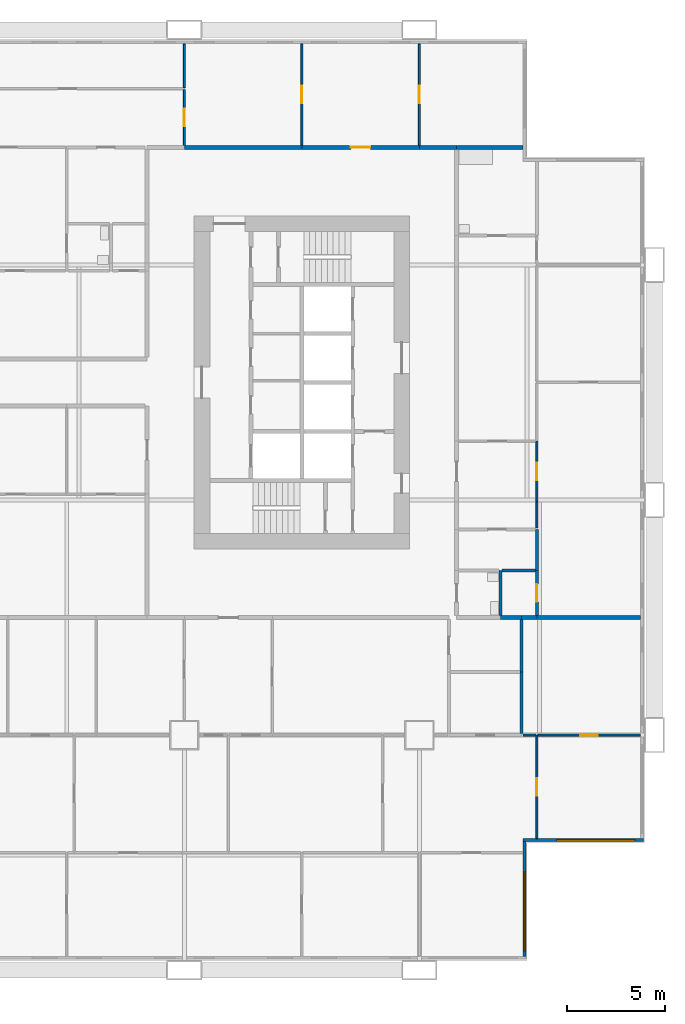
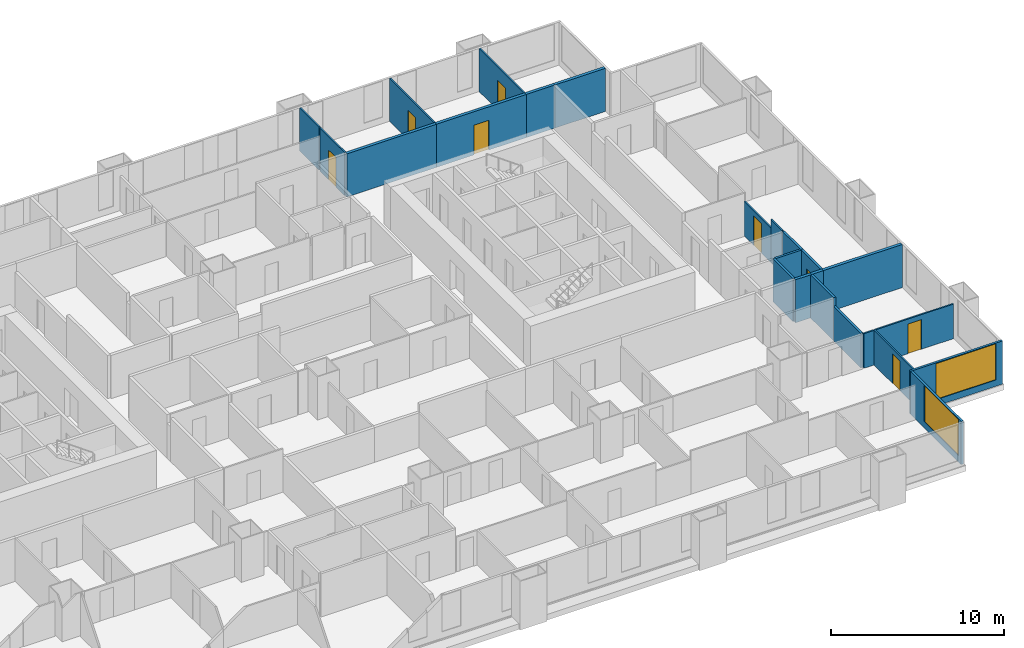
# One storey, part 11 of 14: 24 walls, 8 doors, 2 windows, 10 openings.
"""IFC4 building model written with IfcOpenShell, lengths in metres."""

from ifc_helpers import new_model, si_unit, direction, frame, frame_2d, origin, place, context, subcontext, project, spatial, rectangle, extrude, material, layer, layer_set, type_object, element, fill, save


model = new_model("IFC4")

# Units and contexts
model_context = context("Model", 3, precision=1e-05, world=origin(), true_north=direction((0.0, 1.0)))
body_context = subcontext(model_context, "Body", "Model", "MODEL_VIEW")
ifc_project = project(units=[si_unit("LENGTHUNIT", "METRE"), si_unit("AREAUNIT", "SQUARE_METRE"), si_unit("VOLUMEUNIT", "CUBIC_METRE"), si_unit("PLANEANGLEUNIT", "RADIAN"), si_unit("MASSUNIT", "GRAM", prefix="KILO")], contexts=[model_context])

# Site, building, storey
site_placement = place(None, origin())
site = spatial("IfcSite", under=ifc_project, at=site_placement, CompositionType="ELEMENT")
building_placement = place(site_placement, origin())
building = spatial("IfcBuilding", under=site, at=building_placement, Name="Kitamizu Gate Tower and Museum", CompositionType="ELEMENT")
storey_placement = place(building_placement, frame((0.0, 0.0, 43.800048828125)))
storey = spatial("IfcBuildingStorey", under=building, at=storey_placement, Name="L09", CompositionType="ELEMENT", Elevation=43.800048828125)

# Wall, opening, door
ifc_material_1 = material(Name="Gypsum board on galvanised stud")
ifc_layer_1 = layer(ifc_material_1, 0.10009765625)
ifc_layer_set_1 = layer_set([ifc_layer_1], Name="Gypsum board on galvanised stud")
wall_type_1 = type_object("IfcWallType", Name="Partition 100 NOT RATED", PredefinedType="PARTITIONING", material=ifc_layer_set_1)
wall_1_placement = place(storey_placement, frame((66.0, 6.719970703125, 0.0), z_axis=(0.0, 0.0, 1.0), x_axis=(0.0, 1.0, 0.0)))
wall_1 = element("IfcWall", 1, at=wall_1_placement, inside=storey, type_object=wall_type_1, Name="Partition L09-075", PredefinedType="PARTITIONING", context=body_context, shape_type="SweptSolid", body=[
    extrude(rectangle(XDim=5.280029296875, YDim=0.10009765625, at=frame_2d((2.64013671875, 0.0))), origin(), (0.0, 0.0, 1.0), 2.449951171875),
])
opening_1_placement = place(wall_1_placement, frame((2.18994140625, 0.0, 0.0)))
opening_1 = element("IfcOpeningElement", 2, at=opening_1_placement, cuts=wall_1, Name="Opening L09-025", PredefinedType="OPENING", context=body_context, shape_type="SweptSolid", body=[
    extrude(rectangle(XDim=0.89990234375, YDim=2.10009765625, at=frame_2d((0.449951171875, 1.050048828125))), frame((0.0, 0.06005859375, 0.0), z_axis=(0.0, -1.0, 0.0), x_axis=(1.0, 0.0, 0.0)), (0.0, 0.0, 1.0), 0.1201171875),
])
ifc_material_2 = material(Name="Timber door set", Category="wood")
door_type_1 = type_object("IfcDoorType", Name="Room door 900", OperationType="NOTDEFINED", PredefinedType="DOOR", material=ifc_material_2)
door_1_placement = place(opening_1_placement, origin())
door_1 = element("IfcDoor", 3, at=door_1_placement, inside=storey, type_object=door_type_1, Name="Door L09-025", OperationType="SINGLE_SWING_RIGHT", OverallHeight=2.10009765625, OverallWidth=0.89990234375, PredefinedType="DOOR", context=body_context, shape_type="SweptSolid", body=[
    extrude(rectangle(XDim=0.89990234375, YDim=2.10009765625, at=frame_2d((0.449951171875, 1.050048828125))), frame((0.0, 0.02490234375, 0.0), z_axis=(0.0, -1.0, 0.0), x_axis=(1.0, 0.0, 0.0)), (0.0, 0.0, 1.0), 0.050048828125),
])
fill(opening_1, door_1)

# Wall
wall_2_placement = place(storey_placement, frame((65.949951171875, 12.0, 0.0), z_axis=(0.0, 0.0, 1.0), x_axis=(-1.0, 0.0, 0.0)))
element("IfcWall", 4, at=wall_2_placement, inside=storey, type_object=wall_type_1, Name="Partition L09-078", PredefinedType="PARTITIONING", context=body_context, shape_type="SweptSolid", body=[
    extrude(rectangle(XDim=0.658935546875, YDim=0.10009765625, at=frame_2d((0.32958984375, 0.0))), origin(), (0.0, 0.0, 1.0), 2.449951171875),
])

# Wall, opening, door
wall_3_placement = place(storey_placement, frame((71.280029296875, 12.0, 0.0), z_axis=(0.0, 0.0, 1.0), x_axis=(-1.0, 0.0, 0.0)))
wall_3 = element("IfcWall", 5, at=wall_3_placement, inside=storey, type_object=wall_type_1, Name="Partition L09-080", PredefinedType="PARTITIONING", context=body_context, shape_type="SweptSolid", body=[
    extrude(rectangle(XDim=5.22998046875, YDim=0.10009765625, at=frame_2d((2.614990234375, 0.0))), origin(), (0.0, 0.0, 1.0), 2.449951171875),
])
opening_2_placement = place(wall_3_placement, frame((2.1650390625, 0.0, 0.0)))
opening_2 = element("IfcOpeningElement", 6, at=opening_2_placement, cuts=wall_3, Name="Opening L09-034", PredefinedType="OPENING", context=body_context, shape_type="SweptSolid", body=[
    extrude(rectangle(XDim=0.89990234375, YDim=2.10009765625, at=frame_2d((0.449951171875, 1.050048828125))), frame((0.0, 0.06005859375, 0.0), z_axis=(0.0, -1.0, 0.0), x_axis=(1.0, 0.0, 0.0)), (0.0, 0.0, 1.0), 0.1201171875),
])
door_2_placement = place(opening_2_placement, frame((0.89990234375, 0.0, 0.0), x_axis=(-1.0, 0.0, 0.0)))
door_2 = element("IfcDoor", 7, at=door_2_placement, inside=storey, type_object=door_type_1, Name="Door L09-034", OperationType="SINGLE_SWING_LEFT", OverallHeight=2.10009765625, OverallWidth=0.89990234375, PredefinedType="DOOR", context=body_context, shape_type="SweptSolid", body=[
    extrude(rectangle(XDim=0.89990234375, YDim=2.10009765625, at=frame_2d((0.449951171875, 1.050048828125))), frame((0.0, 0.02490234375, 0.0), z_axis=(0.0, -1.0, 0.0), x_axis=(1.0, 0.0, 0.0)), (0.0, 0.0, 1.0), 0.050048828125),
])
fill(opening_2, door_2)

wall_4_placement = place(storey_placement, frame((48.0, 42.10009765625, 0.0), z_axis=(0.0, 0.0, 1.0), x_axis=(0.0, 1.0, 0.0)))
wall_4 = element("IfcWall", 8, at=wall_4_placement, inside=storey, type_object=wall_type_1, Name="Partition L09-159", PredefinedType="PARTITIONING", context=body_context, shape_type="SweptSolid", body=[
    extrude(rectangle(XDim=2.849853515625, YDim=0.10009765625, at=frame_2d((1.4248046875, 0.0))), origin(), (0.0, 0.0, 1.0), 3.050048828125),
])
opening_3_placement = place(wall_4_placement, frame((0.97509765625, 0.0, 0.0)))
opening_3 = element("IfcOpeningElement", 9, at=opening_3_placement, cuts=wall_4, Name="Opening L09-058", PredefinedType="OPENING", context=body_context, shape_type="SweptSolid", body=[
    extrude(rectangle(XDim=0.89990234375, YDim=2.10009765625, at=frame_2d((0.449951171875, 1.050048828125))), frame((0.0, 0.06005859375, 0.0), z_axis=(0.0, -1.0, 0.0), x_axis=(1.0, 0.0, 0.0)), (0.0, 0.0, 1.0), 0.1201171875),
])
door_3_placement = place(opening_3_placement, frame((0.89990234375, 0.0, 0.0), x_axis=(-1.0, 0.0, 0.0)))
door_3 = element("IfcDoor", 10, at=door_3_placement, inside=storey, type_object=door_type_1, Name="Door L09-058", OperationType="SINGLE_SWING_LEFT", OverallHeight=2.10009765625, OverallWidth=0.89990234375, PredefinedType="DOOR", context=body_context, shape_type="SweptSolid", body=[
    extrude(rectangle(XDim=0.89990234375, YDim=2.10009765625, at=frame_2d((0.449951171875, 1.050048828125))), frame((0.0, 0.02490234375, 0.0), z_axis=(0.0, -1.0, 0.0), x_axis=(1.0, 0.0, 0.0)), (0.0, 0.0, 1.0), 0.050048828125),
])
fill(opening_3, door_3)

# Wall
wall_5_placement = place(storey_placement, frame((48.0, 45.050048828125, 0.0), z_axis=(0.0, 0.0, 1.0), x_axis=(0.0, 1.0, 0.0)))
element("IfcWall", 11, at=wall_5_placement, inside=storey, type_object=wall_type_1, Name="Partition L09-163", PredefinedType="PARTITIONING", context=body_context, shape_type="SweptSolid", body=[
    extrude(rectangle(XDim=2.22998046875, YDim=0.10009765625, at=frame_2d((1.114990234375, 0.0))), origin(), (0.0, 0.0, 1.0), 3.050048828125),
])

# Wall, opening, door
wall_6_placement = place(storey_placement, frame((54.0, 42.10009765625, 0.0), z_axis=(0.0, 0.0, 1.0), x_axis=(0.0, 1.0, 0.0)))
wall_6 = element("IfcWall", 12, at=wall_6_placement, inside=storey, type_object=wall_type_1, Name="Partition L09-164", PredefinedType="PARTITIONING", context=body_context, shape_type="SweptSolid", body=[
    extrude(rectangle(XDim=5.179931640625, YDim=0.10009765625, at=frame_2d((2.58984375, 0.0))), origin(), (0.0, 0.0, 1.0), 3.050048828125),
])
opening_4_placement = place(wall_6_placement, frame((2.139892578125, 0.0, 0.0)))
opening_4 = element("IfcOpeningElement", 13, at=opening_4_placement, cuts=wall_6, Name="Opening L09-057", PredefinedType="OPENING", context=body_context, shape_type="SweptSolid", body=[
    extrude(rectangle(XDim=0.89990234375, YDim=2.10009765625, at=frame_2d((0.449951171875, 1.050048828125))), frame((0.0, 0.06005859375, 0.0), z_axis=(0.0, -1.0, 0.0), x_axis=(1.0, 0.0, 0.0)), (0.0, 0.0, 1.0), 0.1201171875),
])
door_4_placement = place(opening_4_placement, origin())
door_4 = element("IfcDoor", 14, at=door_4_placement, inside=storey, type_object=door_type_1, Name="Door L09-057", OperationType="SINGLE_SWING_LEFT", OverallHeight=2.10009765625, OverallWidth=0.89990234375, PredefinedType="DOOR", context=body_context, shape_type="SweptSolid", body=[
    extrude(rectangle(XDim=0.89990234375, YDim=2.10009765625, at=frame_2d((0.449951171875, 1.050048828125))), frame((0.0, 0.02490234375, 0.0), z_axis=(0.0, -1.0, 0.0), x_axis=(1.0, 0.0, 0.0)), (0.0, 0.0, 1.0), 0.050048828125),
])
fill(opening_4, door_4)

wall_7_placement = place(storey_placement, frame((60.0, 42.10009765625, 0.0), z_axis=(0.0, 0.0, 1.0), x_axis=(0.0, 1.0, 0.0)))
wall_7 = element("IfcWall", 15, at=wall_7_placement, inside=storey, type_object=wall_type_1, Name="Partition L09-166", PredefinedType="PARTITIONING", context=body_context, shape_type="SweptSolid", body=[
    extrude(rectangle(XDim=5.179931640625, YDim=0.10009765625, at=frame_2d((2.58984375, 0.0))), origin(), (0.0, 0.0, 1.0), 3.050048828125),
])
opening_5_placement = place(wall_7_placement, frame((2.139892578125, 0.0, 0.0)))
opening_5 = element("IfcOpeningElement", 16, at=opening_5_placement, cuts=wall_7, Name="Opening L09-056", PredefinedType="OPENING", context=body_context, shape_type="SweptSolid", body=[
    extrude(rectangle(XDim=0.89990234375, YDim=2.10009765625, at=frame_2d((0.449951171875, 1.050048828125))), frame((0.0, 0.06005859375, 0.0), z_axis=(0.0, -1.0, 0.0), x_axis=(1.0, 0.0, 0.0)), (0.0, 0.0, 1.0), 0.1201171875),
])
door_5_placement = place(opening_5_placement, frame((0.89990234375, 0.0, 0.0), x_axis=(-1.0, 0.0, 0.0)))
door_5 = element("IfcDoor", 17, at=door_5_placement, inside=storey, type_object=door_type_1, Name="Door L09-056", OperationType="SINGLE_SWING_LEFT", OverallHeight=2.10009765625, OverallWidth=0.89990234375, PredefinedType="DOOR", context=body_context, shape_type="SweptSolid", body=[
    extrude(rectangle(XDim=0.89990234375, YDim=2.10009765625, at=frame_2d((0.449951171875, 1.050048828125))), frame((0.0, 0.02490234375, 0.0), z_axis=(0.0, -1.0, 0.0), x_axis=(1.0, 0.0, 0.0)), (0.0, 0.0, 1.0), 0.050048828125),
])
fill(opening_5, door_5)

wall_8_placement = place(storey_placement, frame((66.0, 27.0, 0.0), z_axis=(0.0, 0.0, 1.0), x_axis=(0.0, -1.0, 0.0)))
wall_8 = element("IfcWall", 18, at=wall_8_placement, inside=storey, type_object=wall_type_1, Name="Partition L09-194", PredefinedType="PARTITIONING", context=body_context, shape_type="SweptSolid", body=[
    extrude(rectangle(XDim=3.10009765625, YDim=0.10009765625, at=frame_2d((1.550048828125, 0.0))), origin(), (0.0, 0.0, 1.0), 2.449951171875),
])
opening_6_placement = place(wall_8_placement, frame((1.10009765625, 0.0, 0.0)))
opening_6 = element("IfcOpeningElement", 19, at=opening_6_placement, cuts=wall_8, Name="Opening L09-070", PredefinedType="OPENING", context=body_context, shape_type="SweptSolid", body=[
    extrude(rectangle(XDim=0.89990234375, YDim=2.10009765625, at=frame_2d((0.449951171875, 1.050048828125))), frame((0.0, 0.06005859375, 0.0), z_axis=(0.0, -1.0, 0.0), x_axis=(1.0, 0.0, 0.0)), (0.0, 0.0, 1.0), 0.1201171875),
])
door_6_placement = place(opening_6_placement, origin())
door_6 = element("IfcDoor", 20, at=door_6_placement, inside=storey, type_object=door_type_1, Name="Door L09-070", OperationType="SINGLE_SWING_RIGHT", OverallHeight=2.10009765625, OverallWidth=0.89990234375, PredefinedType="DOOR", context=body_context, shape_type="SweptSolid", body=[
    extrude(rectangle(XDim=0.89990234375, YDim=2.10009765625, at=frame_2d((0.449951171875, 1.050048828125))), frame((0.0, 0.02490234375, 0.0), z_axis=(0.0, -1.0, 0.0), x_axis=(1.0, 0.0, 0.0)), (0.0, 0.0, 1.0), 0.050048828125),
])
fill(opening_6, door_6)

# Walls
wall_9_placement = place(storey_placement, frame((66.0, 23.89990234375, 0.0), z_axis=(0.0, 0.0, 1.0), x_axis=(0.0, -1.0, 0.0)))
element("IfcWall", 21, at=wall_9_placement, inside=storey, type_object=wall_type_1, Name="Partition L09-195", PredefinedType="PARTITIONING", context=body_context, shape_type="SweptSolid", body=[
    extrude(rectangle(XDim=1.324951171875, YDim=0.10009765625, at=frame_2d((0.66259765625, 0.0))), origin(), (0.0, 0.0, 1.0), 3.050048828125),
])
ifc_material_3 = material(Name="Gypsum board on galvanised stud")
ifc_layer_2 = layer(ifc_material_3, 0.14990234375)
ifc_layer_set_2 = layer_set([ifc_layer_2], Name="Gypsum board on galvanised stud")
wall_type_2 = type_object("IfcWallType", Name="Partition 150", PredefinedType="PARTITIONING", material=ifc_layer_set_2)
wall_10_placement = place(storey_placement, frame((65.216064453125, 15.22900390625, 0.0), z_axis=(0.0, 0.0, 1.0), x_axis=(0.0, -1.0, 0.0)))
element("IfcWall", 22, at=wall_10_placement, inside=storey, type_object=wall_type_2, Name="Partition L09-094", PredefinedType="PARTITIONING", context=body_context, shape_type="SweptSolid", body=[
    extrude(rectangle(XDim=3.154052734375, YDim=0.14990234375, at=frame_2d((1.5771484375, 0.0))), origin(), (0.0, 0.0, 1.0), 2.449951171875),
])
wall_11_placement = place(storey_placement, frame((65.216064453125, 17.89990234375, 0.0), z_axis=(0.0, 0.0, 1.0), x_axis=(0.0, -1.0, 0.0)))
element("IfcWall", 23, at=wall_11_placement, inside=storey, type_object=wall_type_2, Name="Partition L09-095", PredefinedType="PARTITIONING", context=body_context, shape_type="SweptSolid", body=[
    extrude(rectangle(XDim=2.6708984375, YDim=0.14990234375, at=frame_2d((1.33544921875, 0.0))), origin(), (0.0, 0.0, 1.0), 3.050048828125),
])

# Wall, opening, door
wall_12_placement = place(storey_placement, frame((66.0, 20.39990234375, 0.0), z_axis=(0.0, 0.0, 1.0), x_axis=(0.0, -1.0, 0.0)))
wall_12 = element("IfcWall", 24, at=wall_12_placement, inside=storey, type_object=wall_type_2, Name="Partition L09-192", PredefinedType="PARTITIONING", context=body_context, shape_type="SweptSolid", body=[
    extrude(rectangle(XDim=2.2998046875, YDim=0.14990234375, at=frame_2d((1.14990234375, 0.0))), origin(), (0.0, 0.0, 1.0), 3.050048828125),
])
opening_7_placement = place(wall_12_placement, frame((0.699951171875, 0.0, 0.0)))
opening_7 = element("IfcOpeningElement", 25, at=opening_7_placement, cuts=wall_12, Name="Opening L09-074", PredefinedType="OPENING", context=body_context, shape_type="SweptSolid", body=[
    extrude(rectangle(XDim=0.89990234375, YDim=2.10009765625, at=frame_2d((0.449951171875, 1.050048828125))), frame((0.0, 0.0849609375, 0.0), z_axis=(0.0, -1.0, 0.0), x_axis=(1.0, 0.0, 0.0)), (0.0, 0.0, 1.0), 0.169921875),
])
ifc_material_4 = material(Name="Timber door set", Category="wood")
door_type_2 = type_object("IfcDoorType", Name="Bathroom door 900", OperationType="NOTDEFINED", PredefinedType="DOOR", material=ifc_material_4)
door_7_placement = place(opening_7_placement, frame((0.89990234375, 0.0, 0.0), x_axis=(-1.0, 0.0, 0.0)))
door_7 = element("IfcDoor", 26, at=door_7_placement, inside=storey, type_object=door_type_2, Name="Bathroom door L09-074", OperationType="SINGLE_SWING_RIGHT", OverallHeight=2.10009765625, OverallWidth=0.89990234375, PredefinedType="DOOR", context=body_context, shape_type="SweptSolid", body=[
    extrude(rectangle(XDim=0.89990234375, YDim=2.10009765625, at=frame_2d((0.449951171875, 1.050048828125))), frame((0.0, 0.02490234375, 0.0), z_axis=(0.0, -1.0, 0.0), x_axis=(1.0, 0.0, 0.0)), (0.0, 0.0, 1.0), 0.050048828125),
])
fill(opening_7, door_7)

# Walls
wall_13_placement = place(storey_placement, frame((66.0, 22.5, 0.0), z_axis=(0.0, 0.0, 1.0), x_axis=(0.0, -1.0, 0.0)))
element("IfcWall", 27, at=wall_13_placement, inside=storey, type_object=wall_type_2, Name="Partition L09-193", PredefinedType="PARTITIONING", context=body_context, shape_type="SweptSolid", body=[
    extrude(rectangle(XDim=2.10009765625, YDim=0.14990234375, at=frame_2d((1.050048828125, 0.0))), origin(), (0.0, 0.0, 1.0), 3.050048828125),
])
wall_14_placement = place(storey_placement, frame((64.14990234375, 18.10009765625, 0.0), z_axis=(0.0, 0.0, 1.0), x_axis=(0.0, 1.0, 0.0)))
element("IfcWall", 28, at=wall_14_placement, inside=storey, type_object=wall_type_2, Name="Partition L09-201", PredefinedType="PARTITIONING", context=body_context, shape_type="SweptSolid", body=[
    extrude(rectangle(XDim=2.2998046875, YDim=0.14990234375, at=frame_2d((1.14990234375, 0.0))), origin(), (0.0, 0.0, 1.0), 3.050048828125),
])
wall_15_placement = place(storey_placement, frame((65.925048828125, 20.39990234375, 0.0), z_axis=(0.0, 0.0, 1.0), x_axis=(-1.0, 0.0, 0.0)))
element("IfcWall", 29, at=wall_15_placement, inside=storey, type_object=wall_type_2, Name="Partition L09-204", PredefinedType="PARTITIONING", context=body_context, shape_type="SweptSolid", body=[
    extrude(rectangle(XDim=1.699951171875, YDim=0.14990234375, at=frame_2d((0.85009765625, 0.0))), origin(), (0.0, 0.0, 1.0), 3.050048828125),
])
ifc_material_5 = material(Name="Gypsum board on galvanised stud")
ifc_layer_3 = layer(ifc_material_5, 0.199951171875)
ifc_layer_set_3 = layer_set([ifc_layer_3], Name="Gypsum board on galvanised stud")
wall_type_3 = type_object("IfcWallType", Name="Partition 200", PredefinedType="PARTITIONING", material=ifc_layer_set_3)
wall_16_placement = place(storey_placement, frame((71.280029296875, 18.0, 0.0), z_axis=(0.0, 0.0, 1.0), x_axis=(-1.0, 0.0, 0.0)))
element("IfcWall", 30, at=wall_16_placement, inside=storey, type_object=wall_type_3, Name="Partition L09-096", PredefinedType="PARTITIONING", context=body_context, shape_type="SweptSolid", body=[
    extrude(rectangle(XDim=5.280029296875, YDim=0.199951171875, at=frame_2d((2.64013671875, 0.0))), origin(), (0.0, 0.0, 1.0), 3.050048828125),
])
wall_17_placement = place(storey_placement, frame((66.0, 18.0, 0.0), z_axis=(0.0, 0.0, 1.0), x_axis=(-1.0, 0.0, 0.0)))
element("IfcWall", 31, at=wall_17_placement, inside=storey, type_object=wall_type_3, Name="Partition L09-097", PredefinedType="PARTITIONING", context=body_context, shape_type="SweptSolid", body=[
    extrude(rectangle(XDim=0.783935546875, YDim=0.199951171875, at=frame_2d((0.39208984375, 0.0))), origin(), (0.0, 0.0, 1.0), 3.050048828125),
])
wall_18_placement = place(storey_placement, frame((65.216064453125, 18.0, 0.0), z_axis=(0.0, 0.0, 1.0), x_axis=(-1.0, 0.0, 0.0)))
element("IfcWall", 32, at=wall_18_placement, inside=storey, type_object=wall_type_3, Name="Partition L09-100", PredefinedType="PARTITIONING", context=body_context, shape_type="SweptSolid", body=[
    extrude(rectangle(XDim=1.066162109375, YDim=0.199951171875, at=frame_2d((0.533203125, 0.0))), origin(), (0.0, 0.0, 1.0), 3.050048828125),
])
wall_19_placement = place(storey_placement, frame((48.0, 42.0, 0.0), z_axis=(0.0, 0.0, 1.0), x_axis=(1.0, 0.0, 0.0)))
element("IfcWall", 33, at=wall_19_placement, inside=storey, type_object=wall_type_3, Name="Partition L09-165", PredefinedType="PARTITIONING", context=body_context, shape_type="SweptSolid", body=[
    extrude(rectangle(XDim=6.0, YDim=0.199951171875, at=frame_2d((3.0, 0.0))), origin(), (0.0, 0.0, 1.0), 3.050048828125),
])

# Wall, opening, door
wall_20_placement = place(storey_placement, frame((54.0, 42.0, 0.0), z_axis=(0.0, 0.0, 1.0), x_axis=(1.0, 0.0, 0.0)))
wall_20 = element("IfcWall", 34, at=wall_20_placement, inside=storey, type_object=wall_type_3, Name="Partition L09-167", PredefinedType="PARTITIONING", context=body_context, shape_type="SweptSolid", body=[
    extrude(rectangle(XDim=6.0, YDim=0.199951171875, at=frame_2d((3.0, 0.0))), origin(), (0.0, 0.0, 1.0), 3.050048828125),
])
opening_8_placement = place(wall_20_placement, frame((2.5, 0.0, 0.0)))
opening_8 = element("IfcOpeningElement", 35, at=opening_8_placement, cuts=wall_20, Name="Opening L09-055", PredefinedType="OPENING", context=body_context, shape_type="SweptSolid", body=[
    extrude(rectangle(XDim=1.0, YDim=2.10009765625, at=frame_2d((0.5, 1.050048828125))), frame((0.0, 0.10986328125, 0.0), z_axis=(0.0, -1.0, 0.0), x_axis=(1.0, 0.0, 0.0)), (0.0, 0.0, 1.0), 0.219970703125),
])
ifc_material_6 = material(Name="Timber door set", Category="wood")
door_type_3 = type_object("IfcDoorType", Name="Flat entrance door 1000", OperationType="NOTDEFINED", PredefinedType="DOOR", material=ifc_material_6)
door_8_placement = place(opening_8_placement, origin())
door_8 = element("IfcDoor", 36, at=door_8_placement, inside=storey, type_object=door_type_3, Name="Flat entrance door L09-055", OperationType="SINGLE_SWING_LEFT", OverallHeight=2.10009765625, OverallWidth=1.0, PredefinedType="DOOR", context=body_context, shape_type="SweptSolid", body=[
    extrude(rectangle(XDim=1.0, YDim=2.10009765625, at=frame_2d((0.5, 1.050048828125))), frame((0.0, 0.02490234375, 0.0), z_axis=(0.0, -1.0, 0.0), x_axis=(1.0, 0.0, 0.0)), (0.0, 0.0, 1.0), 0.050048828125),
])
fill(opening_8, door_8)

# Walls
wall_21_placement = place(storey_placement, frame((61.89990234375, 42.0, 0.0), z_axis=(0.0, 0.0, 1.0), x_axis=(1.0, 0.0, 0.0)))
element("IfcWall", 37, at=wall_21_placement, inside=storey, type_object=wall_type_3, Name="Partition L09-168", PredefinedType="PARTITIONING", context=body_context, shape_type="SweptSolid", body=[
    extrude(rectangle(XDim=3.380126953125, YDim=0.199951171875, at=frame_2d((1.68994140625, 0.0))), origin(), (0.0, 0.0, 1.0), 3.050048828125),
])
wall_22_placement = place(storey_placement, frame((60.0, 42.0, 0.0), z_axis=(0.0, 0.0, 1.0), x_axis=(1.0, 0.0, 0.0)))
element("IfcWall", 38, at=wall_22_placement, inside=storey, type_object=wall_type_3, Name="Partition L09-169", PredefinedType="PARTITIONING", context=body_context, shape_type="SweptSolid", body=[
    extrude(rectangle(XDim=1.89990234375, YDim=0.199951171875, at=frame_2d((0.949951171875, 0.0))), origin(), (0.0, 0.0, 1.0), 3.050048828125),
])

# Wall, opening, window
ifc_material_7 = material(Name="Bronze anodised aluminium frame with insulated spandrel and tinted glass", Category="aluminium")
ifc_layer_4 = layer(ifc_material_7, 0.14990234375)
ifc_layer_set_4 = layer_set([ifc_layer_4], Name="Bronze anodised aluminium frame with insulated spandrel and tinted glass")
wall_type_4 = type_object("IfcWallType", Name="WINDOW WALL 150 BRONZE FRAME EI 30", PredefinedType="ELEMENTEDWALL", material=ifc_layer_set_4)
wall_23_placement = place(storey_placement, frame((65.364990234375, 0.7099609375, 0.0), z_axis=(0.0, 0.0, 1.0), x_axis=(0.0, 1.0, 0.0)))
wall_23 = element("IfcWall", 39, at=wall_23_placement, inside=storey, type_object=wall_type_4, Name="Window wall east L09", PredefinedType="ELEMENTEDWALL", context=body_context, shape_type="SweptSolid", body=[
    extrude(rectangle(XDim=5.85009765625, YDim=0.14990234375, at=frame_2d((2.925048828125, 0.0))), origin(), (0.0, 0.0, 1.0), 3.050048828125),
])
opening_9_placement = place(wall_23_placement, frame((0.2900390625, 0.0, 0.449951171875)))
opening_9 = element("IfcOpeningElement", 40, at=opening_9_placement, cuts=wall_23, Name="Opening W16", PredefinedType="OPENING", context=body_context, shape_type="SweptSolid", body=[
    extrude(rectangle(XDim=4.0, YDim=2.550048828125, at=frame_2d((2.0, 1.27490234375))), frame((0.0, 0.0849609375, 0.0), z_axis=(0.0, -1.0, 0.0), x_axis=(1.0, 0.0, 0.0)), (0.0, 0.0, 1.0), 0.169921875),
])
ifc_material_8 = material(Name="Bronze anodised aluminium frame, tinted triple glazing", Category="aluminium")
window_type = type_object("IfcWindowType", Name="WINDOW 4000 x 2550 SILL 450", PartitioningType="SINGLE_PANEL", PredefinedType="WINDOW", material=ifc_material_8)
window_1_placement = place(opening_9_placement, origin())
window_1 = element("IfcWindow", 41, at=window_1_placement, inside=storey, type_object=window_type, Name="Window W16 L09", OverallHeight=2.550048828125, OverallWidth=4.0, PartitioningType="SINGLE_PANEL", PredefinedType="WINDOW", context=body_context, shape_type="SweptSolid", body=[
    extrude(rectangle(XDim=4.0, YDim=2.550048828125, at=frame_2d((2.0, 1.27490234375))), frame((0.0, 0.030029296875, 0.0), z_axis=(0.0, -1.0, 0.0), x_axis=(1.0, 0.0, 0.0)), (0.0, 0.0, 1.0), 0.06005859375),
])
fill(opening_9, window_1)

wall_24_placement = place(storey_placement, frame((65.2900390625, 6.635009765625, 0.0), z_axis=(0.0, 0.0, 1.0), x_axis=(1.0, 0.0, 0.0)))
wall_24 = element("IfcWall", 42, at=wall_24_placement, inside=storey, type_object=wall_type_4, Name="Window wall south L09", PredefinedType="ELEMENTEDWALL", context=body_context, shape_type="SweptSolid", body=[
    extrude(rectangle(XDim=6.14990234375, YDim=0.14990234375, at=frame_2d((3.074951171875, 0.0))), origin(), (0.0, 0.0, 1.0), 3.050048828125),
])
opening_10_placement = place(wall_24_placement, frame((1.7099609375, 0.0, 0.449951171875)))
opening_10 = element("IfcOpeningElement", 43, at=opening_10_placement, cuts=wall_24, Name="Opening W16", PredefinedType="OPENING", context=body_context, shape_type="SweptSolid", body=[
    extrude(rectangle(XDim=4.0, YDim=2.550048828125, at=frame_2d((2.0, 1.27490234375))), frame((0.0, 0.0849609375, 0.0), z_axis=(0.0, -1.0, 0.0), x_axis=(1.0, 0.0, 0.0)), (0.0, 0.0, 1.0), 0.169921875),
])
window_2_placement = place(opening_10_placement, origin())
window_2 = element("IfcWindow", 44, at=window_2_placement, inside=storey, type_object=window_type, Name="Window W16 L09", OverallHeight=2.550048828125, OverallWidth=4.0, PartitioningType="SINGLE_PANEL", PredefinedType="WINDOW", context=body_context, shape_type="SweptSolid", body=[
    extrude(rectangle(XDim=4.0, YDim=2.550048828125, at=frame_2d((2.0, 1.27490234375))), frame((0.0, 0.030029296875, 0.0), z_axis=(0.0, -1.0, 0.0), x_axis=(1.0, 0.0, 0.0)), (0.0, 0.0, 1.0), 0.06005859375),
])
fill(opening_10, window_2)

save(model, "model.ifc")
